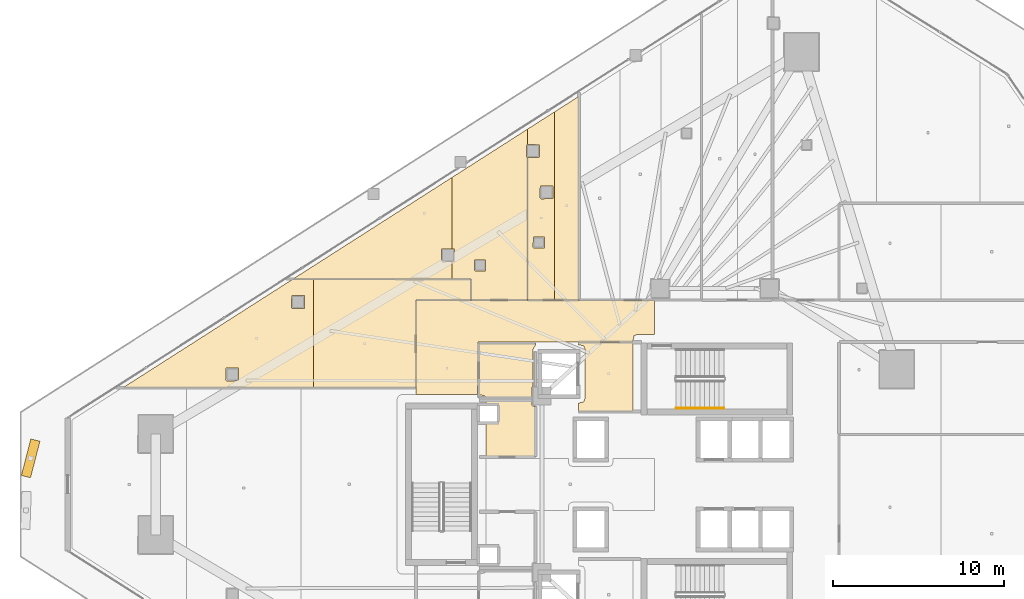
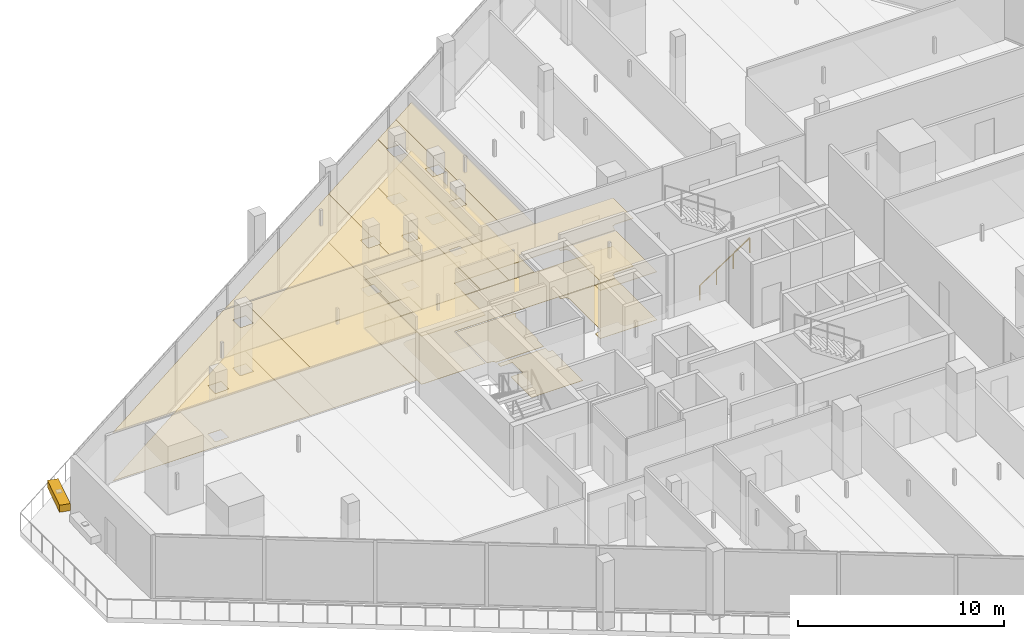
# One storey, part 43 of 45: 18 coverings, 1 railing, 1 shading device.
"""IFC4 building model written with IfcOpenShell, lengths in metres."""

import ifcopenshell
import ifcopenshell.guid

model = None  # the IFC model being written
_history = None  # IfcOwnerHistory: only IFC2X3 demands one
_inside = {}  # id of a spatial element -> (the spatial element, [elements in it])
_under = {}  # id of a project, library or spatial element -> (it, [spatial elements below it])
_declared = {}  # id of a project -> (the project, [libraries it declares])
_typed = {}  # id of a type object -> (the type object, [elements of that type])
_made_of = {}  # id of a material, layer set ... -> (it, [elements and type objects made of it])


def new_model(schema):
    """Start an empty IFC model of exactly this schema.

    Asked for "IFC4X3", IfcOpenShell would pick the latest addendum, in which some entities
    have other attributes; the version numbers below select the first issue.
    IFC2X3 requires an IfcOwnerHistory on every rooted entity: one is made here for all.
    """
    global model, _history
    if schema == "IFC4X3":
        model = ifcopenshell.file(schema_version=(4, 3, 0, 0))
    else:
        model = ifcopenshell.file(schema=schema)
    _inside.clear()
    _under.clear()
    _declared.clear()
    _typed.clear()
    _made_of.clear()
    _history = None
    if model.schema == "IFC2X3":
        org = make("IfcOrganization", Name="unknown")
        user = make(
            "IfcPersonAndOrganization",
            ThePerson=make("IfcPerson", FamilyName="unknown"),
            TheOrganization=org,
        )
        app = make(
            "IfcApplication",
            ApplicationDeveloper=org,
            Version="unknown",
            ApplicationFullName="unknown",
            ApplicationIdentifier="unknown",
        )
        _history = make(
            "IfcOwnerHistory",
            OwningUser=user,
            OwningApplication=app,
            ChangeAction="ADDED",
            CreationDate=0,
        )
    return model


def make(cls, **values):
    """One entity of the class cls with the attributes given. An attribute that is None is left unset."""
    return model.create_entity(
        cls, **{name: value for name, value in values.items() if value is not None}
    )


def rooted(cls, **values):
    """An entity with a GlobalId (a new one), such as an element, a storey or a relation."""
    return make(cls, GlobalId=ifcopenshell.guid.new(), OwnerHistory=_history, **values)


def si_unit(unit_type, name, prefix=None):
    """IfcSIUnit, for example si_unit("LENGTHUNIT", "METRE", prefix="MILLI")."""
    return make("IfcSIUnit", UnitType=unit_type, Prefix=prefix, Name=name)


def assignment(units):
    """IfcUnitAssignment: the units of a project."""
    return None if units is None else make("IfcUnitAssignment", Units=units)


def point(xyz):
    """IfcCartesianPoint."""
    return None if xyz is None else make("IfcCartesianPoint", Coordinates=xyz)


def direction(xyz):
    """IfcDirection."""
    return None if xyz is None else make("IfcDirection", DirectionRatios=xyz)


def frame(location, z_axis=None, x_axis=None):
    """IfcAxis2Placement3D, a coordinate frame: its origin and axes. An axis left out is left unset."""
    return make(
        "IfcAxis2Placement3D",
        Location=point(location),
        Axis=direction(z_axis),
        RefDirection=direction(x_axis),
    )


def frame_2d(location, x_axis=None):
    """IfcAxis2Placement2D, a coordinate frame in the plane: its origin and x axis."""
    return make(
        "IfcAxis2Placement2D", Location=point(location), RefDirection=direction(x_axis)
    )


def origin():
    """The frame at (0, 0, 0) with its axes left unset."""
    return frame((0.0, 0.0, 0.0))


def origin_2d():
    """The frame at (0, 0) in the plane with its x axis left unset."""
    return frame_2d((0.0, 0.0))


def place(relative_to, where):
    """IfcLocalPlacement: puts the frame where relative to a parent placement (None: the world)."""
    return make(
        "IfcLocalPlacement", PlacementRelTo=relative_to, RelativePlacement=where
    )


def context(
    kind, dimensions, precision=None, world=None, true_north=None, identifier=None
):
    """IfcGeometricRepresentationContext, for example the 3D "Model" context."""
    return make(
        "IfcGeometricRepresentationContext",
        ContextIdentifier=identifier,
        ContextType=kind,
        CoordinateSpaceDimension=dimensions,
        Precision=precision,
        WorldCoordinateSystem=world,
        TrueNorth=true_north,
    )


def subcontext(parent, identifier, kind, view, scale=None):
    """IfcGeometricRepresentationSubContext, for example "Body" below "Model"."""
    return make(
        "IfcGeometricRepresentationSubContext",
        ContextIdentifier=identifier,
        ContextType=kind,
        ParentContext=parent,
        TargetScale=scale,
        TargetView=view,
    )


def project(units=None, contexts=None):
    """IfcProject with its units and contexts."""
    return rooted(
        "IfcProject",
        Name="project",
        RepresentationContexts=contexts,
        UnitsInContext=assignment(units),
    )


def spatial(cls, under=None, at=None, **own):
    """A site, building, storey or space (cls), placed at a placement, below another one or the project."""
    s = rooted(cls, ObjectPlacement=at, **own)
    if under is not None:
        _under.setdefault(under.id(), (under, []))[1].append(s)
    return s


def polyline(points):
    """IfcPolyline through the points."""
    return make("IfcPolyline", Points=[point(p) for p in points])


def profile(cls, at=None, kind="AREA", **sizes):
    """A parametric profile (cls). Its sizes go by their IFC names, for example OverallWidth=200.0."""
    return make(cls, ProfileType=kind, Position=at, **sizes)


def rectangle(**sizes):
    """IfcRectangleProfileDef."""
    return profile("IfcRectangleProfileDef", **sizes)


def circle(**sizes):
    """IfcCircleProfileDef."""
    return profile("IfcCircleProfileDef", **sizes)


def outline(outer, holes=None, kind="AREA"):
    """IfcArbitraryClosedProfileDef: a profile drawn as a closed curve; with holes, ...WithVoids."""
    if holes is None:
        return make("IfcArbitraryClosedProfileDef", ProfileType=kind, OuterCurve=outer)
    return make(
        "IfcArbitraryProfileDefWithVoids",
        ProfileType=kind,
        OuterCurve=outer,
        InnerCurves=holes,
    )


def extrude(swept, where, along, depth):
    """IfcExtrudedAreaSolid: the profile swept, set in the frame where, extruded along a direction by depth."""
    return make(
        "IfcExtrudedAreaSolid",
        SweptArea=swept,
        Position=where,
        ExtrudedDirection=direction(along),
        Depth=depth,
    )


def shape(context_of_items, identifier, shape_type, items):
    """IfcShapeRepresentation: the items that make up one representation, for example the "Body"."""
    return make(
        "IfcShapeRepresentation",
        ContextOfItems=context_of_items,
        RepresentationIdentifier=identifier,
        RepresentationType=shape_type,
        Items=items,
    )


def material(Name=None, Category=None):
    """IfcMaterial."""
    return make("IfcMaterial", Name=Name, Category=Category)


def layer(
    of_material, thickness, ventilated=None, Name=None, Category=None, Priority=None
):
    """IfcMaterialLayer: one layer of a wall or slab, of a material (None: an air gap)."""
    return make(
        "IfcMaterialLayer",
        Material=of_material,
        LayerThickness=thickness,
        IsVentilated=ventilated,
        Name=Name,
        Category=Category,
        Priority=Priority,
    )


def layer_set(layers, Name=None):
    """IfcMaterialLayerSet."""
    return make("IfcMaterialLayerSet", MaterialLayers=layers, LayerSetName=Name)


def made_of(thing, what):
    """Note that an element or type object is made of a material, layer set ...; save() writes the relation."""
    if what is not None:
        _made_of.setdefault(what.id(), (what, []))[1].append(thing)
    return thing


def type_object(cls, material=None, **own):
    """A type object (cls), such as IfcWallType, which elements share."""
    return made_of(rooted(cls, **own), material)


def element(
    cls,
    number,
    at=None,
    inside=None,
    cuts=None,
    type_object=None,
    material=None,
    context=None,
    identifier="Body",
    shape_type=None,
    held_by="IfcProductDefinitionShape",
    body=None,
    shapes=None,
    **own,
):
    """One element of the class cls, such as IfcWall. Its Tag is "e" and its number.

    at: its placement. inside: the storey or other place that contains it. cuts: it is an
    opening in that element (IfcRelVoidsElement). A single representation is given by context,
    identifier, shape_type and body (its items); several are given by shapes. held_by: the class
    of the entity that holds the representations. save() writes the other relations.
    """
    e = rooted(cls, Tag="e%d" % number, ObjectPlacement=at, **own)
    if body is not None:
        shapes = [shape(context, identifier, shape_type, body)]
    if shapes is not None:
        e.Representation = make(held_by, Representations=shapes)
    if inside is not None:
        _inside.setdefault(inside.id(), (inside, []))[1].append(e)
    if cuts is not None:
        rooted(
            "IfcRelVoidsElement", RelatingBuildingElement=cuts, RelatedOpeningElement=e
        )
    if type_object is not None:
        _typed.setdefault(type_object.id(), (type_object, []))[1].append(e)
    return made_of(e, material)


def aggregate(whole, parts):
    """IfcRelAggregates: a whole, such as a stair, and the parts it consists of."""
    return rooted("IfcRelAggregates", RelatingObject=whole, RelatedObjects=parts)


def save(model, path):
    """Write the relations noted so far, then the file.

    IfcRelAggregates (storeys below a building ...), IfcRelContainedInSpatialStructure (elements
    in a storey), IfcRelDefinesByType, IfcRelAssociatesMaterial and IfcRelDeclares: one each for
    every whole, place, type object, material and project.
    """
    for whole, parts in _under.values():
        aggregate(whole, parts)
    for where, things in _inside.values():
        rooted(
            "IfcRelContainedInSpatialStructure",
            RelatedElements=things,
            RelatingStructure=where,
        )
    for kind, things in _typed.values():
        rooted("IfcRelDefinesByType", RelatedObjects=things, RelatingType=kind)
    for what, things in _made_of.values():
        rooted("IfcRelAssociatesMaterial", RelatedObjects=things, RelatingMaterial=what)
    for by, libraries in _declared.values():
        rooted("IfcRelDeclares", RelatingContext=by, RelatedDefinitions=libraries)
    model.write(path)


model = new_model("IFC4")

# Units and contexts
model_context = context("Model", 3, precision=1e-05, world=origin(), true_north=direction((0.0, 1.0)))
body_context = subcontext(model_context, "Body", "Model", "MODEL_VIEW")
ifc_project = project(units=[si_unit("LENGTHUNIT", "METRE"), si_unit("AREAUNIT", "SQUARE_METRE"), si_unit("VOLUMEUNIT", "CUBIC_METRE"), si_unit("PLANEANGLEUNIT", "RADIAN"), si_unit("MASSUNIT", "GRAM", prefix="KILO")], contexts=[model_context])

# Site, building, storey
site_placement = place(None, origin())
site = spatial("IfcSite", under=ifc_project, at=site_placement, CompositionType="ELEMENT")
building_placement = place(site_placement, origin())
building = spatial("IfcBuilding", under=site, at=building_placement, Name="Qorvath Tower", CompositionType="ELEMENT")
storey_placement = place(building_placement, frame((0.0, 0.0, 109.800048828125)))
storey = spatial("IfcBuildingStorey", under=building, at=storey_placement, Name="L24", CompositionType="ELEMENT", Elevation=109.800048828125)

# Coverings
ifc_material_1 = material(Name="Acoustic mineral fibre ceiling tile", Category="gypsum")
ifc_layer_1 = layer(ifc_material_1, 0.030029296875)
ifc_layer_set_1 = layer_set([ifc_layer_1], Name="COV-CEIL")
covering_type_1 = type_object("IfcCoveringType", Name="COV-CEIL", PredefinedType="CEILING", material=ifc_layer_set_1)
covering_1_placement = place(storey_placement, frame((0.0, 0.0, 2.849853515625)))
element("IfcCovering", 1, at=covering_1_placement, inside=storey, type_object=covering_type_1, Name="L24 Suspended Acoustic Ceiling 001", PredefinedType="CEILING", context=body_context, shape_type="SweptSolid", body=[
    extrude(outline(polyline([(-25.18994140625, 4.2548828125), (-25.18994140625, 8.294921875), (-28.375, 8.294921875), (-28.375, 8.159912109375), (-28.063232421875, 8.086669921875), (-27.989990234375, 7.909912109375), (-27.989990234375, 4.989990234375), (-28.063232421875, 4.813232421875), (-28.375, 4.739990234375), (-28.375, 4.2548828125), (-25.18994140625, 4.2548828125)])), origin(), (0.0, 0.0, 1.0), 0.030029296875),
])
covering_2_placement = place(storey_placement, frame((0.0, 0.0, 2.849853515625)))
element("IfcCovering", 2, at=covering_2_placement, inside=storey, type_object=covering_type_1, Name="L24 Suspended Acoustic Ceiling 008", PredefinedType="CEILING", context=body_context, shape_type="SweptSolid", body=[
    extrude(outline(polyline([(-23.919677734375, 8.75), (-23.919677734375, 10.7451171875), (-37.844970703125, 10.7451171875), (-37.844970703125, 5.239990234375), (-34.2509765625, 5.239990234375), (-34.219970703125, 8.324951171875), (-25.18994140625, 8.324951171875), (-25.11669921875, 8.6767578125), (-24.93994140625, 8.75), (-23.919677734375, 8.75)])), origin(), (0.0, 0.0, 1.0), 0.030029296875),
])
covering_3_placement = place(storey_placement, frame((0.0, 0.0, 2.849853515625)))
element("IfcCovering", 3, at=covering_3_placement, inside=storey, type_object=covering_type_1, Name="L24 Suspended Acoustic Ceiling 010", PredefinedType="CEILING", context=body_context, shape_type="SweptSolid", body=[
    extrude(outline(polyline([(-45.030517578125, 11.992919921875), (-35.735595703125, 11.98486328125), (-35.735595703125, 13.01025390625), (-36.3056640625, 12.995849609375), (-36.36572265625, 13.055908203125), (-36.34814453125, 13.748291015625), (-35.735595703125, 13.748291015625), (-35.735595703125, 17.933837890625), (-45.030517578125, 11.992919921875)])), origin(), (0.0, 0.0, 1.0), 0.030029296875),
])
covering_4_placement = place(storey_placement, frame((0.0, 0.0, 2.849853515625)))
element("IfcCovering", 4, at=covering_4_placement, inside=storey, type_object=covering_type_1, Name="L24 Suspended Acoustic Ceiling 011", PredefinedType="CEILING", context=body_context, shape_type="SweptSolid", body=[
    extrude(outline(polyline([(-35.735595703125, 17.933837890625), (-35.735595703125, 13.748291015625), (-35.61328125, 13.748291015625), (-35.61328125, 13.013427734375), (-35.735595703125, 13.01025390625), (-35.735595703125, 11.98486328125), (-34.64990234375, 11.98388671875), (-34.64501953125, 10.762939453125), (-31.346435546875, 10.762939453125), (-31.346435546875, 19.07763671875), (-31.401123046875, 19.135498046875), (-31.401123046875, 19.785400390625), (-31.346435546875, 19.84326171875), (-31.346435546875, 20.7392578125), (-35.735595703125, 17.933837890625)]), holes=[polyline([(-34.439208984375, 12.517578125), (-34.421630859375, 13.10986328125), (-33.786865234375, 13.10986328125), (-33.786865234375, 12.47509765625), (-34.379150390625, 12.45751953125), (-34.439208984375, 12.517578125)])]), origin(), (0.0, 0.0, 1.0), 0.030029296875),
])
covering_5_placement = place(storey_placement, frame((0.0, 0.0, 2.849853515625)))
element("IfcCovering", 5, at=covering_5_placement, inside=storey, type_object=covering_type_1, Name="L24 Suspended Acoustic Ceiling 012", PredefinedType="CEILING", context=body_context, shape_type="SweptSolid", body=[
    extrude(outline(polyline([(-29.749267578125, 10.762939453125), (-29.749267578125, 21.760009765625), (-31.32861328125, 20.750732421875), (-31.32861328125, 19.845458984375), (-30.648681640625, 19.827880859375), (-30.631103515625, 19.135498046875), (-30.691162109375, 19.075439453125), (-31.32861328125, 19.075439453125), (-31.32861328125, 10.762939453125), (-29.749267578125, 10.762939453125)]), holes=[polyline([(-30.60986328125, 16.734619140625), (-30.59228515625, 17.427001953125), (-29.857421875, 17.427001953125), (-29.857421875, 16.692138671875), (-30.5498046875, 16.674560546875), (-30.60986328125, 16.734619140625)]), polyline([(-31.01220703125, 13.849365234375), (-30.99462890625, 14.441650390625), (-30.35986328125, 14.441650390625), (-30.35986328125, 13.806884765625), (-30.9521484375, 13.789306640625), (-31.01220703125, 13.849365234375)])]), origin(), (0.0, 0.0, 1.0), 0.030029296875),
])
covering_6_placement = place(storey_placement, frame((0.0, 0.0, 2.849853515625)))
element("IfcCovering", 6, at=covering_6_placement, inside=storey, type_object=covering_type_1, Name="L24 Suspended Acoustic Ceiling 013", PredefinedType="CEILING", context=body_context, shape_type="SweptSolid", body=[
    extrude(outline(polyline([(-28.33642578125, 22.6630859375), (-29.749267578125, 21.760009765625), (-29.749267578125, 10.762939453125), (-28.33642578125, 10.762939453125), (-28.33642578125, 22.6630859375)])), origin(), (0.0, 0.0, 1.0), 0.030029296875),
])
covering_7_placement = place(storey_placement, frame((0.0, 0.0, 2.849853515625)))
element("IfcCovering", 7, at=covering_7_placement, inside=storey, type_object=covering_type_1, Name="L24 Suspended Acoustic Ceiling 047", PredefinedType="CEILING", context=body_context, shape_type="SweptSolid", body=[
    extrude(outline(polyline([(-43.84912109375, 5.655029296875), (-43.84912109375, 11.973876953125), (-45.059326171875, 11.974853515625), (-54.95068359375, 5.653076171875), (-43.84912109375, 5.655029296875)]), holes=[polyline([(-45.121337890625, 10.327392578125), (-45.103759765625, 11.019775390625), (-44.368896484375, 11.019775390625), (-44.368896484375, 10.284912109375), (-45.061279296875, 10.267333984375), (-45.121337890625, 10.327392578125)]), polyline([(-48.96337890625, 6.099609375), (-48.94580078125, 6.7919921875), (-48.2109375, 6.7919921875), (-48.2109375, 6.05712890625), (-48.9033203125, 6.03955078125), (-48.96337890625, 6.099609375)])]), origin(), (0.0, 0.0, 1.0), 0.030029296875),
])
covering_8_placement = place(storey_placement, frame((0.0, 0.0, 2.849853515625)))
element("IfcCovering", 8, at=covering_8_placement, inside=storey, type_object=covering_type_1, Name="L24 Suspended Acoustic Ceiling 048", PredefinedType="CEILING", context=body_context, shape_type="SweptSolid", body=[
    extrude(outline(polyline([(-34.6630859375, 10.762939453125), (-34.6630859375, 11.9658203125), (-43.84912109375, 11.973876953125), (-43.84912109375, 5.655029296875), (-37.863037109375, 5.656005859375), (-37.861572265625, 10.761474609375), (-34.6630859375, 10.762939453125)])), origin(), (0.0, 0.0, 1.0), 0.030029296875),
])
ifc_material_2 = material(Name="Low-VOC modular carpet tile", Category="textile")
ifc_layer_2 = layer(ifc_material_2, 0.014892578125)
ifc_layer_set_2 = layer_set([ifc_layer_2], Name="COV-FLOOR-CPT")
covering_type_2 = type_object("IfcCoveringType", Name="COV-FLOOR-CPT", PredefinedType="FLOORING", material=ifc_layer_set_2)
covering_9_placement = place(storey_placement, origin())
element("IfcCovering", 9, at=covering_9_placement, inside=storey, type_object=covering_type_2, Name="L24 Floor Finish 004", PredefinedType="FLOORING", context=body_context, shape_type="SweptSolid", body=[
    extrude(outline(polyline([(-31.0849609375, 4.89501953125), (-33.760009765625, 4.89501953125), (-33.760009765625, 4.633056640625), (-33.08837890625, 4.631591796875), (-33.0869140625, 3.64208984375), (-33.760009765625, 3.636962890625), (-33.760009765625, 1.60498046875), (-30.885009765625, 1.60498046875), (-30.885009765625, 4.56494140625), (-31.02490234375, 4.56494140625), (-31.0849609375, 4.625), (-31.0849609375, 4.89501953125)])), origin(), (0.0, 0.0, 1.0), 0.014892578125),
])
covering_10_placement = place(storey_placement, origin())
element("IfcCovering", 10, at=covering_10_placement, inside=storey, type_object=covering_type_2, Name="L24 Floor Finish 010", PredefinedType="FLOORING", context=body_context, shape_type="SweptSolid", body=[
    extrude(outline(polyline([(-45.030517578125, 11.992919921875), (-35.735595703125, 11.98486328125), (-35.735595703125, 13.01025390625), (-36.3056640625, 12.995849609375), (-36.36572265625, 13.055908203125), (-36.34814453125, 13.748291015625), (-35.735595703125, 13.748291015625), (-35.735595703125, 17.933837890625), (-45.030517578125, 11.992919921875)])), origin(), (0.0, 0.0, 1.0), 0.014892578125),
])
covering_11_placement = place(storey_placement, origin())
element("IfcCovering", 11, at=covering_11_placement, inside=storey, type_object=covering_type_2, Name="L24 Floor Finish 011", PredefinedType="FLOORING", context=body_context, shape_type="SweptSolid", body=[
    extrude(outline(polyline([(-35.735595703125, 17.933837890625), (-35.735595703125, 13.748291015625), (-35.61328125, 13.748291015625), (-35.61328125, 13.013427734375), (-35.735595703125, 13.01025390625), (-35.735595703125, 11.98486328125), (-34.64990234375, 11.98388671875), (-34.64501953125, 10.762939453125), (-31.346435546875, 10.762939453125), (-31.346435546875, 19.07763671875), (-31.401123046875, 19.135498046875), (-31.401123046875, 19.785400390625), (-31.346435546875, 19.84326171875), (-31.346435546875, 20.7392578125), (-35.735595703125, 17.933837890625)]), holes=[polyline([(-34.439208984375, 12.517578125), (-34.421630859375, 13.10986328125), (-33.786865234375, 13.10986328125), (-33.786865234375, 12.47509765625), (-34.379150390625, 12.45751953125), (-34.439208984375, 12.517578125)])]), origin(), (0.0, 0.0, 1.0), 0.014892578125),
])
covering_12_placement = place(storey_placement, origin())
element("IfcCovering", 12, at=covering_12_placement, inside=storey, type_object=covering_type_2, Name="L24 Floor Finish 012", PredefinedType="FLOORING", context=body_context, shape_type="SweptSolid", body=[
    extrude(outline(polyline([(-29.749267578125, 10.762939453125), (-29.749267578125, 21.760009765625), (-31.32861328125, 20.750732421875), (-31.32861328125, 19.845458984375), (-30.648681640625, 19.827880859375), (-30.631103515625, 19.135498046875), (-30.691162109375, 19.075439453125), (-31.32861328125, 19.075439453125), (-31.32861328125, 10.762939453125), (-29.749267578125, 10.762939453125)]), holes=[polyline([(-30.60986328125, 16.734619140625), (-30.59228515625, 17.427001953125), (-29.857421875, 17.427001953125), (-29.857421875, 16.692138671875), (-30.5498046875, 16.674560546875), (-30.60986328125, 16.734619140625)]), polyline([(-31.01220703125, 13.849365234375), (-30.99462890625, 14.441650390625), (-30.35986328125, 14.441650390625), (-30.35986328125, 13.806884765625), (-30.9521484375, 13.789306640625), (-31.01220703125, 13.849365234375)])]), origin(), (0.0, 0.0, 1.0), 0.014892578125),
])
covering_13_placement = place(storey_placement, origin())
element("IfcCovering", 13, at=covering_13_placement, inside=storey, type_object=covering_type_2, Name="L24 Floor Finish 013", PredefinedType="FLOORING", context=body_context, shape_type="SweptSolid", body=[
    extrude(outline(polyline([(-28.33642578125, 22.6630859375), (-29.749267578125, 21.760009765625), (-29.749267578125, 10.762939453125), (-28.33642578125, 10.762939453125), (-28.33642578125, 22.6630859375)])), origin(), (0.0, 0.0, 1.0), 0.014892578125),
])
covering_14_placement = place(storey_placement, origin())
element("IfcCovering", 14, at=covering_14_placement, inside=storey, type_object=covering_type_2, Name="L24 Floor Finish 047", PredefinedType="FLOORING", context=body_context, shape_type="SweptSolid", body=[
    extrude(outline(polyline([(-43.84912109375, 5.655029296875), (-43.84912109375, 11.973876953125), (-45.059326171875, 11.974853515625), (-54.95068359375, 5.653076171875), (-43.84912109375, 5.655029296875)]), holes=[polyline([(-45.121337890625, 10.327392578125), (-45.103759765625, 11.019775390625), (-44.368896484375, 11.019775390625), (-44.368896484375, 10.284912109375), (-45.061279296875, 10.267333984375), (-45.121337890625, 10.327392578125)]), polyline([(-48.96337890625, 6.099609375), (-48.94580078125, 6.7919921875), (-48.2109375, 6.7919921875), (-48.2109375, 6.05712890625), (-48.9033203125, 6.03955078125), (-48.96337890625, 6.099609375)])]), origin(), (0.0, 0.0, 1.0), 0.014892578125),
])
covering_15_placement = place(storey_placement, origin())
element("IfcCovering", 15, at=covering_15_placement, inside=storey, type_object=covering_type_2, Name="L24 Floor Finish 048", PredefinedType="FLOORING", context=body_context, shape_type="SweptSolid", body=[
    extrude(outline(polyline([(-34.6630859375, 10.762939453125), (-34.6630859375, 11.9658203125), (-43.84912109375, 11.973876953125), (-43.84912109375, 5.655029296875), (-37.863037109375, 5.656005859375), (-37.861572265625, 10.761474609375), (-34.6630859375, 10.762939453125)])), origin(), (0.0, 0.0, 1.0), 0.014892578125),
])
ifc_material_3 = material(Name="Polished epoxy terrazzo flooring", Category="concrete")
ifc_layer_3 = layer(ifc_material_3, 0.02001953125)
ifc_layer_set_3 = layer_set([ifc_layer_3], Name="COV-FLOOR-TRZ")
covering_type_3 = type_object("IfcCoveringType", Name="COV-FLOOR-TRZ", PredefinedType="FLOORING", material=ifc_layer_set_3)
covering_16_placement = place(storey_placement, origin())
element("IfcCovering", 16, at=covering_16_placement, inside=storey, type_object=covering_type_3, Name="L24 Floor Finish 001", PredefinedType="FLOORING", context=body_context, shape_type="SweptSolid", body=[
    extrude(outline(polyline([(-25.18994140625, 4.2548828125), (-25.18994140625, 8.294921875), (-28.375, 8.294921875), (-28.375, 8.159912109375), (-28.063232421875, 8.086669921875), (-27.989990234375, 7.909912109375), (-27.989990234375, 4.989990234375), (-28.063232421875, 4.813232421875), (-28.375, 4.739990234375), (-28.375, 4.2548828125), (-25.18994140625, 4.2548828125)])), origin(), (0.0, 0.0, 1.0), 0.014892578125),
])
covering_17_placement = place(storey_placement, origin())
element("IfcCovering", 17, at=covering_17_placement, inside=storey, type_object=covering_type_3, Name="L24 Floor Finish 003", PredefinedType="FLOORING", context=body_context, shape_type="SweptSolid", body=[
    extrude(outline(polyline([(-31.010009765625, 7.909912109375), (-30.885009765625, 8.108154296875), (-30.885009765625, 8.2451171875), (-34.175048828125, 8.2451171875), (-34.175048828125, 5.239990234375), (-33.833251953125, 5.166748046875), (-33.786865234375, 5.054931640625), (-31.0849609375, 5.054931640625), (-31.0849609375, 5.675048828125), (-31.02490234375, 5.735107421875), (-31.010009765625, 7.909912109375)])), origin(), (0.0, 0.0, 1.0), 0.014892578125),
])
covering_18_placement = place(storey_placement, origin())
element("IfcCovering", 18, at=covering_18_placement, inside=storey, type_object=covering_type_3, Name="L24 Floor Finish 008", PredefinedType="FLOORING", context=body_context, shape_type="SweptSolid", body=[
    extrude(outline(polyline([(-23.919677734375, 8.75), (-23.919677734375, 10.7451171875), (-37.844970703125, 10.7451171875), (-37.844970703125, 5.239990234375), (-34.2509765625, 5.239990234375), (-34.219970703125, 8.324951171875), (-25.18994140625, 8.324951171875), (-25.11669921875, 8.6767578125), (-24.93994140625, 8.75), (-23.919677734375, 8.75)])), origin(), (0.0, 0.0, 1.0), 0.014892578125),
])

# Railing
ifc_material_4 = material(Name="Brushed stainless steel AISI 304", Category="steel")
railing_type = type_object("IfcRailingType", Name="RL-STR-HND", PredefinedType="HANDRAIL", material=ifc_material_4)
railing_placement = place(storey_placement, frame((-22.669921875, 4.449951171875, 0.18408203125)))
element("IfcRailing", 19, at=railing_placement, inside=storey, type_object=railing_type, Name="L24 TS1 stair handrail 1", PredefinedType="HANDRAIL", context=body_context, shape_type="SweptSolid", body=[
    extrude(circle(Radius=0.02392578125, at=origin_2d()), frame((0.0, 0.0, 0.8759765625), z_axis=(0.835575518608, 0.0, 0.549375602573), x_axis=(0.0, 1.0, 0.0)), (0.0, 0.0, 1.0), 3.350830078125),
    extrude(circle(Radius=0.02099609375, at=origin_2d()), origin(), (0.0, 0.0, 1.0), 0.851806640625),
    extrude(circle(Radius=0.02099609375, at=origin_2d()), frame((0.933349609375, 0.0, 0.613525390625)), (0.0, 0.0, 1.0), 0.851806640625),
    extrude(circle(Radius=0.02099609375, at=origin_2d()), frame((1.866455078125, 0.0, 1.227294921875)), (0.0, 0.0, 1.0), 0.851806640625),
    extrude(circle(Radius=0.02099609375, at=origin_2d()), frame((2.7998046875, 0.0, 1.8408203125)), (0.0, 0.0, 1.0), 0.851806640625),
])

# Shading device
ifc_material_5 = material(Name="Anodised bronze-champagne aluminium", Category="aluminium")
shading_device_type = type_object("IfcShadingDeviceType", Name="SD-LOUVRE", PredefinedType="JALOUSIE", material=ifc_material_5)
shading_device_placement = place(storey_placement, frame((-60.354248046875, 1.518798828125, 3.35009765625), z_axis=(0.0, 0.0, 1.0), x_axis=(-0.249942336761, -0.968260723305, 0.0)))
element("IfcShadingDevice", 20, at=shading_device_placement, inside=storey, type_object=shading_device_type, Name="Sinusoidal Wave Louvre Blade L24-01", PredefinedType="NOTDEFINED", context=body_context, shape_type="SweptSolid", body=[
    extrude(rectangle(XDim=2.199951171875, YDim=0.550048828125, at=origin_2d()), origin(), (0.0, 0.0, 1.0), 0.419921875),
])

save(model, "model.ifc")
